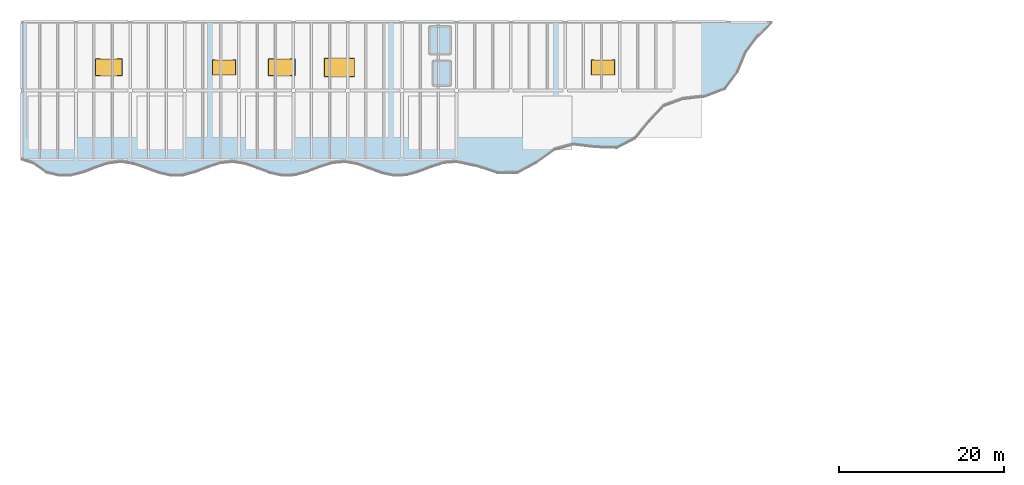
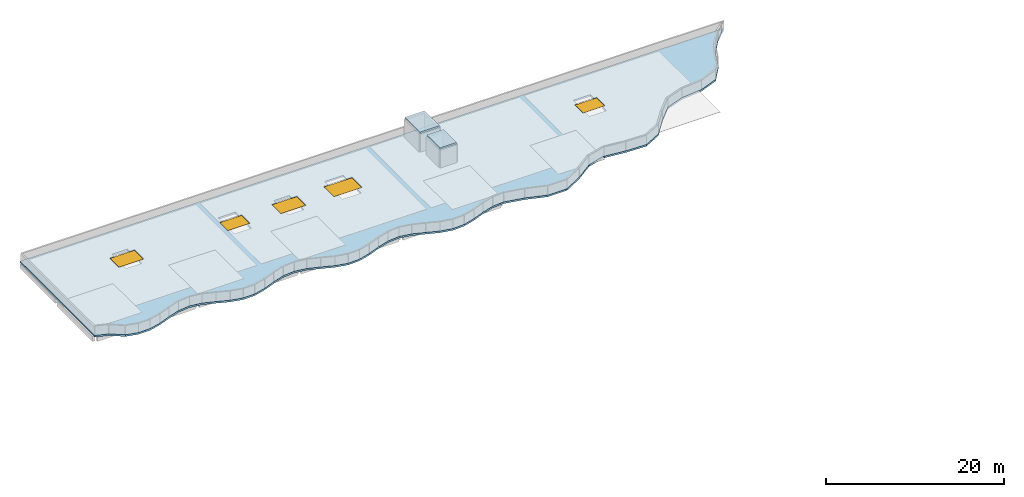
# One storey, part 8 of 19: 5 windows, 3 slabs, 5 openings.
"""IFC4 building model written with IfcOpenShell, lengths in metres."""

from ifc_helpers import new_model, si_unit, direction, frame, origin, origin_2d, place, context, subcontext, project, spatial, polyline, rectangle, outline, extrude, material, layer, layer_set, type_object, element, fill, save


model = new_model("IFC4")

# Units and contexts
model_context = context("Model", 3, precision=1e-05, world=origin(), true_north=direction((0.0, 1.0)))
body_context = subcontext(model_context, "Body", "Model", "MODEL_VIEW")
ifc_project = project(units=[si_unit("LENGTHUNIT", "METRE"), si_unit("AREAUNIT", "SQUARE_METRE"), si_unit("VOLUMEUNIT", "CUBIC_METRE"), si_unit("PLANEANGLEUNIT", "RADIAN"), si_unit("MASSUNIT", "GRAM", prefix="KILO")], contexts=[model_context])

# Site, building, storey
site_placement = place(None, origin())
site = spatial("IfcSite", under=ifc_project, at=site_placement, CompositionType="ELEMENT")
building_placement = place(site_placement, origin())
building = spatial("IfcBuilding", under=site, at=building_placement, Name="Qaldarim Faculty of Natural and Applied Sciences", CompositionType="ELEMENT")
storey_placement = place(building_placement, frame((0.0, 0.0, 27.0)))
storey = spatial("IfcBuildingStorey", under=building, at=storey_placement, Name="L06", CompositionType="ELEMENT", Elevation=27.0)

# Slab, openings, windows
ifc_material_1 = material(Name="Concrete C40/50", Category="concrete")
ifc_layer = layer(ifc_material_1, 0.239990234375)
ifc_layer_set = layer_set([ifc_layer], Name="Concrete C40/50")
slab_type = type_object("IfcSlabType", Name="FlatStructuralRoofSlab-240", PredefinedType="ROOF", material=ifc_layer_set)
slab_1_placement = place(storey_placement, frame((0.0, 0.0, -0.239990234375)))
slab_1 = element("IfcSlab", 1, at=slab_1_placement, inside=storey, type_object=slab_type, Name="Layered Laboratories waved crown roof slab L06", PredefinedType="ROOF", context=body_context, shape_type="SweptSolid", body=[
    extrude(outline(polyline([(59.39990234375, 100.800048828125), (60.909912109375, 100.2900390625), (62.4150390625, 99.2099609375), (63.925048828125, 98.844970703125), (65.43505859375, 98.860107421875), (66.945068359375, 99.2451171875), (68.449951171875, 99.824951171875), (69.9599609375, 100.320068359375), (71.469970703125, 100.5), (72.97509765625, 100.27490234375), (74.485107421875, 99.7548828125), (75.9951171875, 99.18505859375), (77.5048828125, 98.8349609375), (79.010009765625, 98.8701171875), (80.52001953125, 99.27490234375), (82.030029296875, 99.85498046875), (83.534912109375, 100.340087890625), (85.044921875, 100.4951171875), (86.554931640625, 100.2548828125), (88.06494140625, 99.72509765625), (89.570068359375, 99.159912109375), (91.080078125, 98.824951171875), (92.590087890625, 98.885009765625), (94.094970703125, 99.300048828125), (95.60498046875, 99.885009765625), (97.114990234375, 100.35498046875), (98.625, 100.4951171875), (100.1298828125, 100.22998046875), (101.639892578125, 99.695068359375), (103.14990234375, 99.135009765625), (104.655029296875, 98.820068359375), (106.1650390625, 98.89501953125), (107.675048828125, 99.330078125), (109.18505859375, 99.9150390625), (110.68994140625, 100.375), (112.199951171875, 100.489990234375), (114.6298828125, 99.985107421875), (117.14501953125, 99.169921875), (119.639892578125, 99.179931640625), (121.93994140625, 100.425048828125), (124.090087890625, 101.969970703125), (126.405029296875, 102.60498046875), (129.034912109375, 102.2900390625), (131.68994140625, 102.205078125), (133.905029296875, 103.35009765625), (135.635009765625, 105.445068359375), (137.389892578125, 107.2900390625), (139.68994140625, 108.114990234375), (142.389892578125, 108.425048828125), (144.77490234375, 109.35498046875), (146.320068359375, 111.405029296875), (147.375, 113.909912109375), (148.830078125, 115.864990234375), (150.47509765625, 117.60009765625), (59.39990234375, 117.60009765625), (59.39990234375, 100.800048828125)]), holes=[polyline([(69.0, 110.39990234375), (71.0, 110.39990234375), (71.0, 113.60009765625), (69.0, 113.60009765625), (69.0, 110.39990234375)]), polyline([(82.89990234375, 110.199951171875), (85.10009765625, 110.199951171875), (85.10009765625, 113.800048828125), (82.89990234375, 113.800048828125), (82.89990234375, 110.199951171875)]), polyline([(96.800048828125, 110.0), (99.199951171875, 110.0), (99.199951171875, 114.0), (96.800048828125, 114.0), (96.800048828125, 110.0)]), polyline([(90.0, 110.39990234375), (92.0, 110.39990234375), (92.0, 113.60009765625), (90.0, 113.60009765625), (90.0, 110.39990234375)]), polyline([(128.89990234375, 110.199951171875), (131.10009765625, 110.199951171875), (131.10009765625, 113.800048828125), (128.89990234375, 113.800048828125), (128.89990234375, 110.199951171875)])]), origin(), (0.0, 0.0, 1.0), 0.239990234375),
])
opening_1_placement = place(slab_1_placement, frame((70.0, 112.0, -0.010009765625)))
opening_1 = element("IfcOpeningElement", 2, at=opening_1_placement, cuts=slab_1, Name="Opening SK02", PredefinedType="OPENING", context=body_context, shape_type="SweptSolid", body=[
    extrude(rectangle(XDim=3.199951171875, YDim=2.0, at=origin_2d()), origin(), (0.0, 0.0, 1.0), 0.260009765625),
])
opening_2_placement = place(slab_1_placement, frame((84.0, 112.0, -0.010009765625)))
opening_2 = element("IfcOpeningElement", 3, at=opening_2_placement, cuts=slab_1, Name="Opening SK03", PredefinedType="OPENING", context=body_context, shape_type="SweptSolid", body=[
    extrude(rectangle(XDim=2.800048828125, YDim=1.800048828125, at=origin_2d()), origin(), (0.0, 0.0, 1.0), 0.260009765625),
])
opening_3_placement = place(slab_1_placement, frame((98.0, 112.0, -0.010009765625)))
opening_3 = element("IfcOpeningElement", 4, at=opening_3_placement, cuts=slab_1, Name="Opening SK04", PredefinedType="OPENING", context=body_context, shape_type="SweptSolid", body=[
    extrude(rectangle(XDim=3.60009765625, YDim=2.199951171875, at=origin_2d()), origin(), (0.0, 0.0, 1.0), 0.260009765625),
])
opening_4_placement = place(slab_1_placement, frame((91.0, 112.0, -0.010009765625)))
opening_4 = element("IfcOpeningElement", 5, at=opening_4_placement, cuts=slab_1, Name="Opening SK02", PredefinedType="OPENING", context=body_context, shape_type="SweptSolid", body=[
    extrude(rectangle(XDim=3.199951171875, YDim=2.0, at=origin_2d()), origin(), (0.0, 0.0, 1.0), 0.260009765625),
])
opening_5_placement = place(slab_1_placement, frame((130.0, 112.0, -0.010009765625)))
opening_5 = element("IfcOpeningElement", 6, at=opening_5_placement, cuts=slab_1, Name="Opening SK03", PredefinedType="OPENING", context=body_context, shape_type="SweptSolid", body=[
    extrude(rectangle(XDim=2.800048828125, YDim=1.800048828125, at=origin_2d()), origin(), (0.0, 0.0, 1.0), 0.260009765625),
])
ifc_material_2 = material(Name="Insulated low-e double glazing", Category="glass")
window_type_1 = type_object("IfcWindowType", Name="AtriumSkylight-3200x2000", PartitioningType="DOUBLE_PANEL_HORIZONTAL", PredefinedType="SKYLIGHT", material=ifc_material_2)
window_1_placement = place(opening_1_placement, frame((0.0, 0.0, 0.199951171875)))
window_1 = element("IfcWindow", 7, at=window_1_placement, inside=storey, type_object=window_type_1, Name="Laboratories bar north-light roof skylight 1", OverallHeight=2.0, OverallWidth=3.199951171875, PartitioningType="SINGLE_PANEL", PredefinedType="SKYLIGHT", context=body_context, shape_type="SweptSolid", body=[
    extrude(rectangle(XDim=3.199951171875, YDim=2.0, at=origin_2d()), origin(), (0.0, 0.0, 1.0), 0.050048828125),
])
fill(opening_1, window_1)
window_2_placement = place(opening_4_placement, frame((0.0, 0.0, 0.199951171875)))
window_2 = element("IfcWindow", 8, at=window_2_placement, inside=storey, type_object=window_type_1, Name="Laboratories bar north-light roof skylight 4", OverallHeight=2.0, OverallWidth=3.199951171875, PartitioningType="SINGLE_PANEL", PredefinedType="SKYLIGHT", context=body_context, shape_type="SweptSolid", body=[
    extrude(rectangle(XDim=3.199951171875, YDim=2.0, at=origin_2d()), origin(), (0.0, 0.0, 1.0), 0.050048828125),
])
fill(opening_4, window_2)
window_type_2 = type_object("IfcWindowType", Name="GallerySkylight-3600x2200", PartitioningType="DOUBLE_PANEL_HORIZONTAL", PredefinedType="SKYLIGHT", material=ifc_material_2)
window_3_placement = place(opening_3_placement, frame((0.0, 0.0, 0.199951171875)))
window_3 = element("IfcWindow", 9, at=window_3_placement, inside=storey, type_object=window_type_2, Name="Laboratories bar north-light roof skylight 3", OverallHeight=2.199951171875, OverallWidth=3.60009765625, PartitioningType="SINGLE_PANEL", PredefinedType="SKYLIGHT", context=body_context, shape_type="SweptSolid", body=[
    extrude(rectangle(XDim=3.60009765625, YDim=2.199951171875, at=origin_2d()), origin(), (0.0, 0.0, 1.0), 0.050048828125),
])
fill(opening_3, window_3)
window_type_3 = type_object("IfcWindowType", Name="LabSkylight-2800x1800", PartitioningType="DOUBLE_PANEL_HORIZONTAL", PredefinedType="SKYLIGHT", material=ifc_material_2)
window_4_placement = place(opening_2_placement, frame((0.0, 0.0, 0.199951171875)))
window_4 = element("IfcWindow", 10, at=window_4_placement, inside=storey, type_object=window_type_3, Name="Laboratories bar north-light roof skylight 2", OverallHeight=1.800048828125, OverallWidth=2.800048828125, PartitioningType="SINGLE_PANEL", PredefinedType="SKYLIGHT", context=body_context, shape_type="SweptSolid", body=[
    extrude(rectangle(XDim=2.800048828125, YDim=1.800048828125, at=origin_2d()), origin(), (0.0, 0.0, 1.0), 0.050048828125),
])
fill(opening_2, window_4)
window_5_placement = place(opening_5_placement, frame((0.0, 0.0, 0.199951171875)))
window_5 = element("IfcWindow", 11, at=window_5_placement, inside=storey, type_object=window_type_3, Name="Laboratories bar north-light roof skylight 5", OverallHeight=1.800048828125, OverallWidth=2.800048828125, PartitioningType="SINGLE_PANEL", PredefinedType="SKYLIGHT", context=body_context, shape_type="SweptSolid", body=[
    extrude(rectangle(XDim=2.800048828125, YDim=1.800048828125, at=origin_2d()), origin(), (0.0, 0.0, 1.0), 0.050048828125),
])
fill(opening_5, window_5)

# Slabs
slab_2_placement = place(storey_placement, frame((0.0, 0.0, 2.5)))
element("IfcSlab", 12, at=slab_2_placement, inside=storey, type_object=slab_type, Name="Lift LF-B1 overrun roof cap", PredefinedType="ROOF", context=body_context, shape_type="SweptSolid", body=[
    extrude(outline(polyline([(109.324951171875, 109.824951171875), (111.47509765625, 109.824951171875), (111.47509765625, 112.77490234375), (109.324951171875, 112.77490234375), (109.324951171875, 109.824951171875)])), origin(), (0.0, 0.0, 1.0), 0.239990234375),
])
slab_3_placement = place(storey_placement, frame((0.0, 0.0, 2.5)))
element("IfcSlab", 13, at=slab_3_placement, inside=storey, type_object=slab_type, Name="Lift LF-B2 overrun roof cap", PredefinedType="ROOF", context=body_context, shape_type="SweptSolid", body=[
    extrude(outline(polyline([(108.925048828125, 113.625), (111.47509765625, 113.625), (111.47509765625, 116.97509765625), (108.925048828125, 116.97509765625), (108.925048828125, 113.625)])), origin(), (0.0, 0.0, 1.0), 0.239990234375),
])

save(model, "model.ifc")
